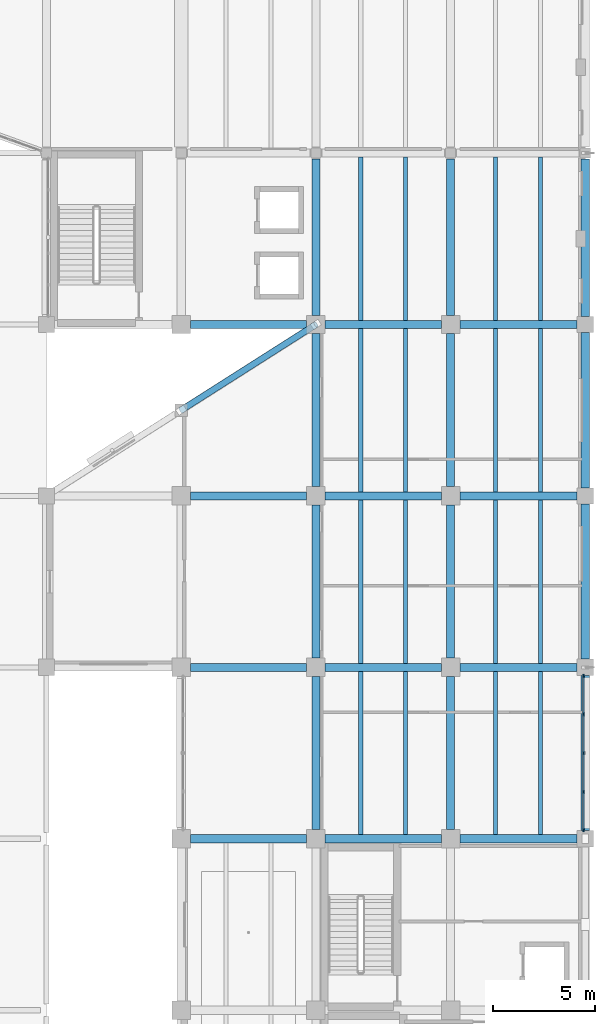
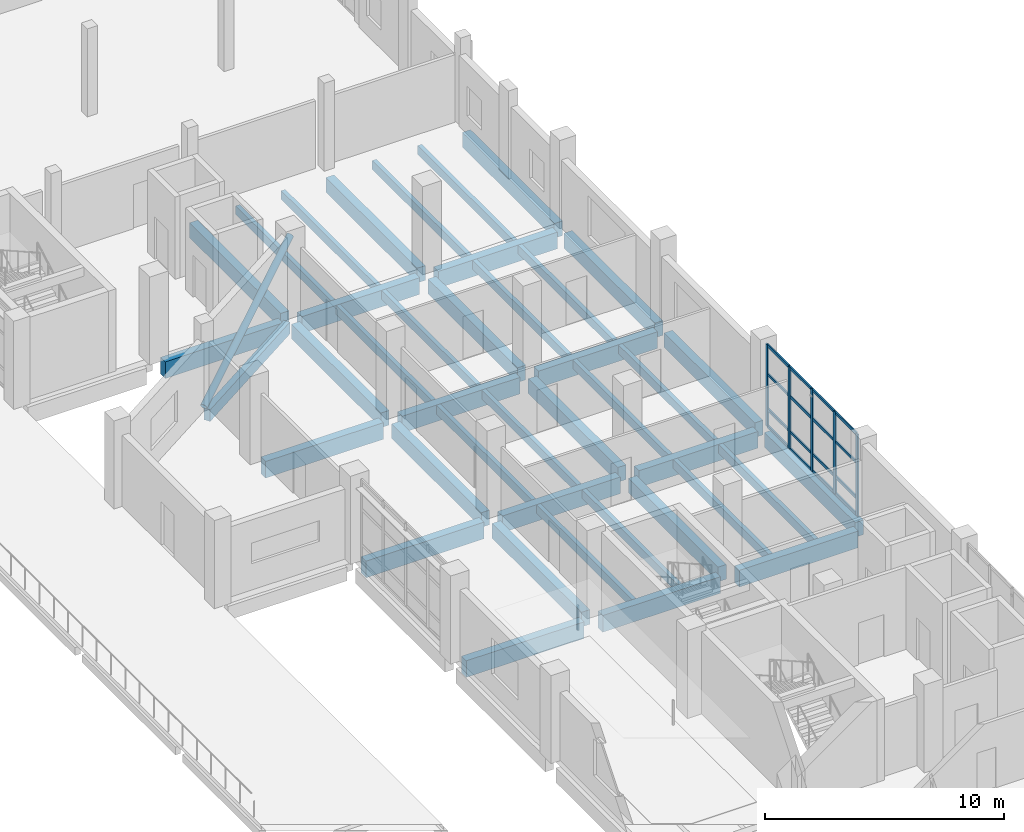
# One storey, part 24 of 83: 41 beams, 22 members, 1 element without a shape of its own.
"""IFC4 building model written with IfcOpenShell, lengths in metres."""

from ifc_helpers import new_model, si_unit, direction, frame, origin, origin_2d, place, context, subcontext, project, spatial, rectangle, hollow_circle, extrude, material, material_profile, profile_set, type_object, element, aggregate, save


model = new_model("IFC4")

# Units and contexts
model_context = context("Model", 3, precision=1e-05, world=origin(), true_north=direction((0.0, 1.0)))
body_context = subcontext(model_context, "Body", "Model", "MODEL_VIEW")
ifc_project = project(units=[si_unit("LENGTHUNIT", "METRE"), si_unit("AREAUNIT", "SQUARE_METRE"), si_unit("VOLUMEUNIT", "CUBIC_METRE"), si_unit("PLANEANGLEUNIT", "RADIAN"), si_unit("MASSUNIT", "GRAM", prefix="KILO")], contexts=[model_context])

# Site, building, storey
site_placement = place(None, origin())
site = spatial("IfcSite", under=ifc_project, at=site_placement, CompositionType="ELEMENT")
building_placement = place(site_placement, origin())
building = spatial("IfcBuilding", under=site, at=building_placement, Name="Qaldarim Faculty of Natural and Applied Sciences", CompositionType="ELEMENT")
storey_placement = place(building_placement, frame((0.0, 0.0, 5.39990234375)))
storey = spatial("IfcBuildingStorey", under=building, at=storey_placement, Name="L01", CompositionType="ELEMENT", Elevation=5.39990234375)

# Beams
ifc_material_1 = material(Name="Concrete C50/60", Category="concrete")
ifc_material_profile_1 = material_profile(ifc_material_1, rectangle(XDim=0.39990234375, YDim=0.75, at=origin_2d()), Name="RC-B400x750")
ifc_profile_set_1 = profile_set([ifc_material_profile_1], Name="Concrete C50/60")
beam_type_1 = type_object("IfcBeamType", Name="LabGirder-RC400x750", PredefinedType="BEAM", material=ifc_profile_set_1)
for number, where, z_axis, x_axis, name in (
    (1, (165.0, 34.050048828125, -0.6748046875), (0.0, 1.0, 0.0), (-1.0, 0.0, 0.0), "Beam RC-B400x750 L00 X26/Y05-Y06"),
    (2, (165.0, 42.449951171875, -0.6748046875), (0.0, 1.0, 0.0), (-1.0, 0.0, 0.0), "Beam RC-B400x750 L00 X26/Y06-Y07"),
    (3, (165.0, 50.85009765625, -0.6748046875), (0.0, 1.0, 0.0), (-1.0, 0.0, 0.0), "Beam RC-B400x750 L00 X26/Y07-Y08"),
):
    element("IfcBeam", number, at=place(storey_placement, frame(where, z_axis=z_axis, x_axis=x_axis)), inside=storey, type_object=beam_type_1, Name=name, PredefinedType="BEAM", context=body_context, shape_type="SweptSolid", body=[
        extrude(rectangle(XDim=0.39990234375, YDim=0.75, at=origin_2d()), origin(), (0.0, 0.0, 1.0), 7.5),
    ])
beam_1_placement = place(storey_placement, frame((165.0, 59.25, -0.6748046875), z_axis=(0.0, 1.0, 0.0), x_axis=(-1.0, 0.0, 0.0)))
element("IfcBeam", 4, at=beam_1_placement, inside=storey, type_object=beam_type_1, Name="Beam RC-B400x750 L00 X26/Y08-Y09", PredefinedType="BEAM", context=body_context, shape_type="SweptSolid", body=[
    extrude(rectangle(XDim=0.39990234375, YDim=0.75, at=origin_2d()), origin(), (0.0, 0.0, 1.0), 7.64990234375),
])
for number, where, z_axis, x_axis, name in (
    (5, (171.60009765625, 34.050048828125, -0.6748046875), (0.0, 1.0, 0.0), (-1.0, 0.0, 0.0), "Beam RC-B400x750 L00 X27/Y05-Y06"),
    (6, (171.60009765625, 42.449951171875, -0.6748046875), (0.0, 1.0, 0.0), (-1.0, 0.0, 0.0), "Beam RC-B400x750 L00 X27/Y06-Y07"),
    (7, (171.60009765625, 50.85009765625, -0.6748046875), (0.0, 1.0, 0.0), (-1.0, 0.0, 0.0), "Beam RC-B400x750 L00 X27/Y07-Y08"),
):
    element("IfcBeam", number, at=place(storey_placement, frame(where, z_axis=z_axis, x_axis=x_axis)), inside=storey, type_object=beam_type_1, Name=name, PredefinedType="BEAM", context=body_context, shape_type="SweptSolid", body=[
        extrude(rectangle(XDim=0.39990234375, YDim=0.75, at=origin_2d()), origin(), (0.0, 0.0, 1.0), 7.5),
    ])
beam_2_placement = place(storey_placement, frame((171.60009765625, 59.25, -0.6748046875), z_axis=(0.0, 1.0, 0.0), x_axis=(-1.0, 0.0, 0.0)))
element("IfcBeam", 8, at=beam_2_placement, inside=storey, type_object=beam_type_1, Name="Beam RC-B400x750 L00 X27/Y08-Y09", PredefinedType="BEAM", context=body_context, shape_type="SweptSolid", body=[
    extrude(rectangle(XDim=0.39990234375, YDim=0.75, at=origin_2d()), origin(), (0.0, 0.0, 1.0), 7.64990234375),
])
for number, where, z_axis, x_axis, name in (
    (9, (178.199951171875, 34.0, -0.6748046875), (0.0, 1.0, 0.0), (-1.0, 0.0, 0.0), "Beam RC-B400x750 L00 X28/Y05-Y06"),
    (10, (178.199951171875, 42.39990234375, -0.6748046875), (0.0, 1.0, 0.0), (-1.0, 0.0, 0.0), "Beam RC-B400x750 L00 X28/Y06-Y07"),
):
    element("IfcBeam", number, at=place(storey_placement, frame(where, z_axis=z_axis, x_axis=x_axis)), inside=storey, type_object=beam_type_1, Name=name, PredefinedType="BEAM", context=body_context, shape_type="SweptSolid", body=[
        extrude(rectangle(XDim=0.39990234375, YDim=0.75, at=origin_2d()), origin(), (0.0, 0.0, 1.0), 7.60009765625),
    ])
beam_3_placement = place(storey_placement, frame((178.199951171875, 50.800048828125, -0.6748046875), z_axis=(0.0, 1.0, 0.0), x_axis=(-1.0, 0.0, 0.0)))
element("IfcBeam", 11, at=beam_3_placement, inside=storey, type_object=beam_type_1, Name="Beam RC-B400x750 L00 X28/Y07-Y08", PredefinedType="BEAM", context=body_context, shape_type="SweptSolid", body=[
    extrude(rectangle(XDim=0.39990234375, YDim=0.75, at=origin_2d()), origin(), (0.0, 0.0, 1.0), 7.599853515625),
])
beam_4_placement = place(storey_placement, frame((178.199951171875, 59.199951171875, -0.6748046875), z_axis=(0.0, 1.0, 0.0), x_axis=(-1.0, 0.0, 0.0)))
element("IfcBeam", 12, at=beam_4_placement, inside=storey, type_object=beam_type_1, Name="Beam RC-B400x750 L00 X28/Y08-Y09", PredefinedType="BEAM", context=body_context, shape_type="SweptSolid", body=[
    extrude(rectangle(XDim=0.39990234375, YDim=0.75, at=origin_2d()), origin(), (0.0, 0.0, 1.0), 7.699951171875),
])
ifc_material_2 = material(Name="Concrete C40/50", Category="concrete")
ifc_material_profile_2 = material_profile(ifc_material_2, rectangle(XDim=0.199951171875, YDim=0.449951171875, at=origin_2d()), Name="RC-J200x450")
ifc_profile_set_2 = profile_set([ifc_material_profile_2], Name="Concrete C40/50")
beam_type_2 = type_object("IfcBeamType", Name="LabJoist-RC200x450", PredefinedType="JOIST", material=ifc_profile_set_2)
for number, where, z_axis, x_axis, name in (
    (13, (167.199951171875, 33.800048828125, -0.52490234375), (0.0, 1.0, 0.0), (-1.0, 0.0, 0.0), "Laboratory joist L00 bay X26Y05-1"),
    (14, (169.39990234375, 33.800048828125, -0.52490234375), (0.0, 1.0, 0.0), (-1.0, 0.0, 0.0), "Laboratory joist L00 bay X26Y05-2"),
    (15, (167.199951171875, 42.199951171875, -0.52490234375), (0.0, 1.0, 0.0), (-1.0, 0.0, 0.0), "Laboratory joist L00 bay X26Y06-1"),
    (16, (169.39990234375, 42.199951171875, -0.52490234375), (0.0, 1.0, 0.0), (-1.0, 0.0, 0.0), "Laboratory joist L00 bay X26Y06-2"),
    (17, (167.199951171875, 50.60009765625, -0.52490234375), (0.0, 1.0, 0.0), (-1.0, 0.0, 0.0), "Laboratory joist L00 bay X26Y07-1"),
    (18, (169.39990234375, 50.60009765625, -0.52490234375), (0.0, 1.0, 0.0), (-1.0, 0.0, 0.0), "Laboratory joist L00 bay X26Y07-2"),
    (19, (167.199951171875, 59.0, -0.52490234375), (0.0, 1.0, 0.0), (-1.0, 0.0, 0.0), "Laboratory joist L00 bay X26Y08-1"),
    (20, (169.39990234375, 59.0, -0.52490234375), (0.0, 1.0, 0.0), (-1.0, 0.0, 0.0), "Laboratory joist L00 bay X26Y08-2"),
    (21, (173.800048828125, 33.800048828125, -0.52490234375), (0.0, 1.0, 0.0), (-1.0, 0.0, 0.0), "Laboratory joist L00 bay X27Y05-1"),
    (22, (176.0, 33.800048828125, -0.52490234375), (0.0, 1.0, 0.0), (-1.0, 0.0, 0.0), "Laboratory joist L00 bay X27Y05-2"),
    (23, (173.800048828125, 42.199951171875, -0.52490234375), (0.0, 1.0, 0.0), (-1.0, 0.0, 0.0), "Laboratory joist L00 bay X27Y06-1"),
    (24, (176.0, 42.199951171875, -0.52490234375), (0.0, 1.0, 0.0), (-1.0, 0.0, 0.0), "Laboratory joist L00 bay X27Y06-2"),
    (25, (173.800048828125, 50.60009765625, -0.52490234375), (0.0, 1.0, 0.0), (-1.0, 0.0, 0.0), "Laboratory joist L00 bay X27Y07-1"),
    (26, (176.0, 50.60009765625, -0.52490234375), (0.0, 1.0, 0.0), (-1.0, 0.0, 0.0), "Laboratory joist L00 bay X27Y07-2"),
    (27, (173.800048828125, 59.0, -0.52490234375), (0.0, 1.0, 0.0), (-1.0, 0.0, 0.0), "Laboratory joist L00 bay X27Y08-1"),
    (28, (176.0, 59.0, -0.52490234375), (0.0, 1.0, 0.0), (-1.0, 0.0, 0.0), "Laboratory joist L00 bay X27Y08-2"),
):
    element("IfcBeam", number, at=place(storey_placement, frame(where, z_axis=z_axis, x_axis=x_axis)), inside=storey, type_object=beam_type_2, Name=name, PredefinedType="JOIST", context=body_context, shape_type="SweptSolid", body=[
        extrude(rectangle(XDim=0.199951171875, YDim=0.449951171875, at=origin_2d()), origin(), (0.0, 0.0, 1.0), 8.0),
    ])

# Member
ifc_material_3 = material(Name="Structural steel S355", Category="steel")
ifc_material_profile_3 = material_profile(ifc_material_3, hollow_circle(Radius=0.161865234375, WallThickness=0.02001953125, at=origin_2d()), Name="CHS 323.9x20.0")
ifc_profile_set_3 = profile_set([ifc_material_profile_3], Name="Structural steel S355")
member_type_1 = type_object("IfcMemberType", Name="LowerWingBrace-CHS323-9x20", PredefinedType="BRACE", material=ifc_profile_set_3)
member_1_placement = place(storey_placement, frame((158.39990234375, 54.60009765625, 0.0), z_axis=(0.75503922954, 0.480466814596, 0.446169700818), x_axis=(-0.536865395558, 0.843667912778, 0.0)))
element("IfcMember", 29, at=member_1_placement, inside=storey, type_object=member_type_1, Name="Oblique NW chamfer diagrid brace L01", PredefinedType="BRACE", context=body_context, shape_type="SweptSolid", body=[
    extrude(hollow_circle(Radius=0.161865234375, WallThickness=0.02001953125, at=origin_2d()), origin(), (0.0, 0.0, 1.0), 8.741455078125),
])

# Curtain wall, members
ifc_material_4 = material(Name="Anodised aluminium AW-6063", Category="aluminium")
curtain_wall_type = type_object("IfcCurtainWallType", Name="CurtainWallSystem-M1700", PredefinedType="USERDEFINED", material=ifc_material_4)
curtain_wall_placement = place(storey_placement, origin())
curtain_wall = element("IfcCurtainWall", 30, at=curtain_wall_placement, inside=storey, type_object=curtain_wall_type, Name="Curtain wall CW-L01-E-X27Y05", ObjectType="UNITISED FACADE", PredefinedType="USERDEFINED")
ifc_material_profile_4 = material_profile(ifc_material_4, rectangle(XDim=0.070068359375, YDim=0.179931640625, at=origin_2d()), Name="ALU-M70x180")
ifc_profile_set_4 = profile_set([ifc_material_profile_4], Name="Anodised aluminium AW-6063")
member_type_2 = type_object("IfcMemberType", Name="Mullion-ALU70x180", PredefinedType="MULLION", material=ifc_profile_set_4)
member_2_placement = place(storey_placement, frame((178.1201171875, 34.030029296875, 0.0), z_axis=(0.0, 0.0, 1.0), x_axis=(-1.0, 0.0, 0.0)))
member_2 = element("IfcMember", 31, at=member_2_placement, type_object=member_type_2, Name="Mullion 1 of CW-L01-E-X27Y05", PredefinedType="MULLION", context=body_context, shape_type="SweptSolid", body=[
    extrude(rectangle(XDim=0.070068359375, YDim=0.179931640625, at=origin_2d()), origin(), (0.0, 0.0, 1.0), 4.2001953125),
])
member_3_placement = place(storey_placement, frame((178.1201171875, 35.8974609375, 0.0), z_axis=(0.0, 0.0, 1.0), x_axis=(-1.0, 0.0, 0.0)))
member_3 = element("IfcMember", 32, at=member_3_placement, type_object=member_type_2, Name="Mullion 2 of CW-L01-E-X27Y05", PredefinedType="MULLION", context=body_context, shape_type="SweptSolid", body=[
    extrude(rectangle(XDim=0.070068359375, YDim=0.179931640625, at=origin_2d()), origin(), (0.0, 0.0, 1.0), 4.2001953125),
])
member_4_placement = place(storey_placement, frame((178.1201171875, 37.800048828125, 0.0), z_axis=(0.0, 0.0, 1.0), x_axis=(-1.0, 0.0, 0.0)))
member_4 = element("IfcMember", 33, at=member_4_placement, type_object=member_type_2, Name="Mullion 3 of CW-L01-E-X27Y05", PredefinedType="MULLION", context=body_context, shape_type="SweptSolid", body=[
    extrude(rectangle(XDim=0.070068359375, YDim=0.179931640625, at=origin_2d()), origin(), (0.0, 0.0, 1.0), 4.2001953125),
])
member_5_placement = place(storey_placement, frame((178.1201171875, 39.702392578125, 0.0), z_axis=(0.0, 0.0, 1.0), x_axis=(-1.0, 0.0, 0.0)))
member_5 = element("IfcMember", 34, at=member_5_placement, type_object=member_type_2, Name="Mullion 4 of CW-L01-E-X27Y05", PredefinedType="MULLION", context=body_context, shape_type="SweptSolid", body=[
    extrude(rectangle(XDim=0.070068359375, YDim=0.179931640625, at=origin_2d()), origin(), (0.0, 0.0, 1.0), 4.2001953125),
])
member_6_placement = place(storey_placement, frame((178.1201171875, 41.570068359375, 0.0), z_axis=(0.0, 0.0, 1.0), x_axis=(-1.0, 0.0, 0.0)))
member_6 = element("IfcMember", 35, at=member_6_placement, type_object=member_type_2, Name="Mullion 5 of CW-L01-E-X27Y05", PredefinedType="MULLION", context=body_context, shape_type="SweptSolid", body=[
    extrude(rectangle(XDim=0.070068359375, YDim=0.179931640625, at=origin_2d()), origin(), (0.0, 0.0, 1.0), 4.2001953125),
])

# Beams
ifc_material_profile_5 = material_profile(ifc_material_1, rectangle(XDim=0.39990234375, YDim=0.85009765625, at=origin_2d()), Name="RC-B400x850")
ifc_profile_set_5 = profile_set([ifc_material_profile_5], Name="Concrete C50/60")
beam_type_3 = type_object("IfcBeamType", Name="PodiumGirder-RC400x850", PredefinedType="BEAM", material=ifc_profile_set_5)
for number, where, z_axis, x_axis, name in (
    (36, (158.85009765625, 33.60009765625, -0.724853515625), (1.0, 0.0, 0.0), (0.0, 1.0, 0.0), "Beam RC-B400x850 L00 X25-X26/Y05"),
    (37, (165.449951171875, 33.60009765625, -0.724853515625), (1.0, 0.0, 0.0), (0.0, 1.0, 0.0), "Beam RC-B400x850 L00 X26-X27/Y05"),
):
    element("IfcBeam", number, at=place(storey_placement, frame(where, z_axis=z_axis, x_axis=x_axis)), inside=storey, type_object=beam_type_3, Name=name, PredefinedType="BEAM", context=body_context, shape_type="SweptSolid", body=[
        extrude(rectangle(XDim=0.39990234375, YDim=0.85009765625, at=origin_2d()), origin(), (0.0, 0.0, 1.0), 5.699951171875),
    ])
beam_5_placement = place(storey_placement, frame((172.050048828125, 33.60009765625, -0.724853515625), z_axis=(1.0, 0.0, 0.0), x_axis=(0.0, 1.0, 0.0)))
element("IfcBeam", 38, at=beam_5_placement, inside=storey, type_object=beam_type_3, Name="Beam RC-B400x850 L00 X27-X28/Y05", PredefinedType="BEAM", context=body_context, shape_type="SweptSolid", body=[
    extrude(rectangle(XDim=0.39990234375, YDim=0.85009765625, at=origin_2d()), origin(), (0.0, 0.0, 1.0), 5.75),
])
for number, where, z_axis, x_axis, name in (
    (39, (158.85009765625, 42.0, -0.724853515625), (1.0, 0.0, 0.0), (0.0, 1.0, 0.0), "Beam RC-B400x850 L00 X25-X26/Y06"),
    (40, (165.449951171875, 42.0, -0.724853515625), (1.0, 0.0, 0.0), (0.0, 1.0, 0.0), "Beam RC-B400x850 L00 X26-X27/Y06"),
):
    element("IfcBeam", number, at=place(storey_placement, frame(where, z_axis=z_axis, x_axis=x_axis)), inside=storey, type_object=beam_type_3, Name=name, PredefinedType="BEAM", context=body_context, shape_type="SweptSolid", body=[
        extrude(rectangle(XDim=0.39990234375, YDim=0.85009765625, at=origin_2d()), origin(), (0.0, 0.0, 1.0), 5.699951171875),
    ])
beam_6_placement = place(storey_placement, frame((172.050048828125, 42.0, -0.724853515625), z_axis=(1.0, 0.0, 0.0), x_axis=(0.0, 1.0, 0.0)))
element("IfcBeam", 41, at=beam_6_placement, inside=storey, type_object=beam_type_3, Name="Beam RC-B400x850 L00 X27-X28/Y06", PredefinedType="BEAM", context=body_context, shape_type="SweptSolid", body=[
    extrude(rectangle(XDim=0.39990234375, YDim=0.85009765625, at=origin_2d()), origin(), (0.0, 0.0, 1.0), 5.75),
])
for number, where, z_axis, x_axis, name in (
    (42, (158.85009765625, 50.39990234375, -0.724853515625), (1.0, 0.0, 0.0), (0.0, 1.0, 0.0), "Beam RC-B400x850 L00 X25-X26/Y07"),
    (43, (165.449951171875, 50.39990234375, -0.724853515625), (1.0, 0.0, 0.0), (0.0, 1.0, 0.0), "Beam RC-B400x850 L00 X26-X27/Y07"),
):
    element("IfcBeam", number, at=place(storey_placement, frame(where, z_axis=z_axis, x_axis=x_axis)), inside=storey, type_object=beam_type_3, Name=name, PredefinedType="BEAM", context=body_context, shape_type="SweptSolid", body=[
        extrude(rectangle(XDim=0.39990234375, YDim=0.85009765625, at=origin_2d()), origin(), (0.0, 0.0, 1.0), 5.699951171875),
    ])
beam_7_placement = place(storey_placement, frame((172.050048828125, 50.39990234375, -0.724853515625), z_axis=(1.0, 0.0, 0.0), x_axis=(0.0, 1.0, 0.0)))
element("IfcBeam", 44, at=beam_7_placement, inside=storey, type_object=beam_type_3, Name="Beam RC-B400x850 L00 X27-X28/Y07", PredefinedType="BEAM", context=body_context, shape_type="SweptSolid", body=[
    extrude(rectangle(XDim=0.39990234375, YDim=0.85009765625, at=origin_2d()), origin(), (0.0, 0.0, 1.0), 5.75),
])
for number, where, z_axis, x_axis, name in (
    (45, (158.85009765625, 58.800048828125, -0.724853515625), (1.0, 0.0, 0.0), (0.0, 1.0, 0.0), "Beam RC-B400x850 L00 X25-X26/Y08"),
    (46, (165.449951171875, 58.800048828125, -0.724853515625), (1.0, 0.0, 0.0), (0.0, 1.0, 0.0), "Beam RC-B400x850 L00 X26-X27/Y08"),
):
    element("IfcBeam", number, at=place(storey_placement, frame(where, z_axis=z_axis, x_axis=x_axis)), inside=storey, type_object=beam_type_3, Name=name, PredefinedType="BEAM", context=body_context, shape_type="SweptSolid", body=[
        extrude(rectangle(XDim=0.39990234375, YDim=0.85009765625, at=origin_2d()), origin(), (0.0, 0.0, 1.0), 5.699951171875),
    ])
beam_8_placement = place(storey_placement, frame((172.050048828125, 58.800048828125, -0.724853515625), z_axis=(1.0, 0.0, 0.0), x_axis=(0.0, 1.0, 0.0)))
element("IfcBeam", 47, at=beam_8_placement, inside=storey, type_object=beam_type_3, Name="Beam RC-B400x850 L00 X27-X28/Y08", PredefinedType="BEAM", context=body_context, shape_type="SweptSolid", body=[
    extrude(rectangle(XDim=0.39990234375, YDim=0.85009765625, at=origin_2d()), origin(), (0.0, 0.0, 1.0), 5.75),
])
ifc_material_5 = material(Name="Precast concrete C40/50", Category="concrete")
ifc_material_profile_6 = material_profile(ifc_material_5, rectangle(XDim=0.300048828125, YDim=0.60009765625, at=origin_2d()), Name="RC-SP300x600")
ifc_profile_set_6 = profile_set([ifc_material_profile_6], Name="Precast concrete C40/50")
beam_type_4 = type_object("IfcBeamType", Name="SpandrelBeam-RC300x600", PredefinedType="SPANDREL", material=ifc_profile_set_6)
beam_9_placement = place(storey_placement, frame((158.64990234375, 54.760009765625, -0.599853515625), z_axis=(0.843786613851, 0.536678814829, 0.0), x_axis=(-0.536678814829, 0.843786613851, 0.0)))
element("IfcBeam", 48, at=beam_9_placement, inside=storey, type_object=beam_type_4, Name="Oblique NW chamfer spandrel L00 2", PredefinedType="SPANDREL", context=body_context, shape_type="SweptSolid", body=[
    extrude(rectangle(XDim=0.300048828125, YDim=0.60009765625, at=origin_2d()), origin(), (0.0, 0.0, 1.0), 7.2294921875),
])

# Member
ifc_material_profile_7 = material_profile(ifc_material_4, rectangle(XDim=0.070068359375, YDim=0.139892578125, at=origin_2d()), Name="ALU-T70x140")
ifc_profile_set_7 = profile_set([ifc_material_profile_7], Name="Anodised aluminium AW-6063")
member_type_3 = type_object("IfcMemberType", Name="Transom-ALU70x140", PredefinedType="USERDEFINED", material=ifc_profile_set_7)
member_7_placement = place(storey_placement, frame((178.1201171875, 34.06494140625, 0.03515625), z_axis=(0.0, 1.0, 0.0), x_axis=(-1.0, 0.0, 0.0)))
member_7 = element("IfcMember", 49, at=member_7_placement, type_object=member_type_3, Name="Transom 1-1 of CW-L01-E-X27Y05", ObjectType="TRANSOM", PredefinedType="USERDEFINED", context=body_context, shape_type="SweptSolid", body=[
    extrude(rectangle(XDim=0.070068359375, YDim=0.139892578125, at=origin_2d()), origin(), (0.0, 0.0, 1.0), 1.797607421875),
])

member_8_placement = place(storey_placement, frame((178.1201171875, 34.06494140625, 0.900146484375), z_axis=(0.0, 1.0, 0.0), x_axis=(-1.0, 0.0, 0.0)))
member_8 = element("IfcMember", 50, at=member_8_placement, type_object=member_type_3, Name="Transom 1-2 of CW-L01-E-X27Y05", ObjectType="TRANSOM", PredefinedType="USERDEFINED", context=body_context, shape_type="SweptSolid", body=[
    extrude(rectangle(XDim=0.070068359375, YDim=0.139892578125, at=origin_2d()), origin(), (0.0, 0.0, 1.0), 1.797607421875),
])

member_9_placement = place(storey_placement, frame((178.1201171875, 34.06494140625, 2.7001953125), z_axis=(0.0, 1.0, 0.0), x_axis=(-1.0, 0.0, 0.0)))
member_9 = element("IfcMember", 51, at=member_9_placement, type_object=member_type_3, Name="Transom 1-3 of CW-L01-E-X27Y05", ObjectType="TRANSOM", PredefinedType="USERDEFINED", context=body_context, shape_type="SweptSolid", body=[
    extrude(rectangle(XDim=0.070068359375, YDim=0.139892578125, at=origin_2d()), origin(), (0.0, 0.0, 1.0), 1.797607421875),
])

member_10_placement = place(storey_placement, frame((178.1201171875, 34.06494140625, 4.1650390625), z_axis=(0.0, 1.0, 0.0), x_axis=(-1.0, 0.0, 0.0)))
member_10 = element("IfcMember", 52, at=member_10_placement, type_object=member_type_3, Name="Transom 1-4 of CW-L01-E-X27Y05", ObjectType="TRANSOM", PredefinedType="USERDEFINED", context=body_context, shape_type="SweptSolid", body=[
    extrude(rectangle(XDim=0.070068359375, YDim=0.139892578125, at=origin_2d()), origin(), (0.0, 0.0, 1.0), 1.797607421875),
])

member_11_placement = place(storey_placement, frame((178.1201171875, 35.9326171875, 0.03515625), z_axis=(0.0, 1.0, 0.0), x_axis=(-1.0, 0.0, 0.0)))
member_11 = element("IfcMember", 53, at=member_11_placement, type_object=member_type_3, Name="Transom 2-1 of CW-L01-E-X27Y05", ObjectType="TRANSOM", PredefinedType="USERDEFINED", context=body_context, shape_type="SweptSolid", body=[
    extrude(rectangle(XDim=0.070068359375, YDim=0.139892578125, at=origin_2d()), origin(), (0.0, 0.0, 1.0), 1.832275390625),
])

member_12_placement = place(storey_placement, frame((178.1201171875, 35.9326171875, 0.900146484375), z_axis=(0.0, 1.0, 0.0), x_axis=(-1.0, 0.0, 0.0)))
member_12 = element("IfcMember", 54, at=member_12_placement, type_object=member_type_3, Name="Transom 2-2 of CW-L01-E-X27Y05", ObjectType="TRANSOM", PredefinedType="USERDEFINED", context=body_context, shape_type="SweptSolid", body=[
    extrude(rectangle(XDim=0.070068359375, YDim=0.139892578125, at=origin_2d()), origin(), (0.0, 0.0, 1.0), 1.832275390625),
])

member_13_placement = place(storey_placement, frame((178.1201171875, 35.9326171875, 2.7001953125), z_axis=(0.0, 1.0, 0.0), x_axis=(-1.0, 0.0, 0.0)))
member_13 = element("IfcMember", 55, at=member_13_placement, type_object=member_type_3, Name="Transom 2-3 of CW-L01-E-X27Y05", ObjectType="TRANSOM", PredefinedType="USERDEFINED", context=body_context, shape_type="SweptSolid", body=[
    extrude(rectangle(XDim=0.070068359375, YDim=0.139892578125, at=origin_2d()), origin(), (0.0, 0.0, 1.0), 1.832275390625),
])

member_14_placement = place(storey_placement, frame((178.1201171875, 35.9326171875, 4.1650390625), z_axis=(0.0, 1.0, 0.0), x_axis=(-1.0, 0.0, 0.0)))
member_14 = element("IfcMember", 56, at=member_14_placement, type_object=member_type_3, Name="Transom 2-4 of CW-L01-E-X27Y05", ObjectType="TRANSOM", PredefinedType="USERDEFINED", context=body_context, shape_type="SweptSolid", body=[
    extrude(rectangle(XDim=0.070068359375, YDim=0.139892578125, at=origin_2d()), origin(), (0.0, 0.0, 1.0), 1.832275390625),
])

member_15_placement = place(storey_placement, frame((178.1201171875, 37.8349609375, 0.03515625), z_axis=(0.0, 1.0, 0.0), x_axis=(-1.0, 0.0, 0.0)))
member_15 = element("IfcMember", 57, at=member_15_placement, type_object=member_type_3, Name="Transom 3-1 of CW-L01-E-X27Y05", ObjectType="TRANSOM", PredefinedType="USERDEFINED", context=body_context, shape_type="SweptSolid", body=[
    extrude(rectangle(XDim=0.070068359375, YDim=0.139892578125, at=origin_2d()), origin(), (0.0, 0.0, 1.0), 1.83251953125),
])

member_16_placement = place(storey_placement, frame((178.1201171875, 37.8349609375, 0.900146484375), z_axis=(0.0, 1.0, 0.0), x_axis=(-1.0, 0.0, 0.0)))
member_16 = element("IfcMember", 58, at=member_16_placement, type_object=member_type_3, Name="Transom 3-2 of CW-L01-E-X27Y05", ObjectType="TRANSOM", PredefinedType="USERDEFINED", context=body_context, shape_type="SweptSolid", body=[
    extrude(rectangle(XDim=0.070068359375, YDim=0.139892578125, at=origin_2d()), origin(), (0.0, 0.0, 1.0), 1.83251953125),
])

member_17_placement = place(storey_placement, frame((178.1201171875, 37.8349609375, 2.7001953125), z_axis=(0.0, 1.0, 0.0), x_axis=(-1.0, 0.0, 0.0)))
member_17 = element("IfcMember", 59, at=member_17_placement, type_object=member_type_3, Name="Transom 3-3 of CW-L01-E-X27Y05", ObjectType="TRANSOM", PredefinedType="USERDEFINED", context=body_context, shape_type="SweptSolid", body=[
    extrude(rectangle(XDim=0.070068359375, YDim=0.139892578125, at=origin_2d()), origin(), (0.0, 0.0, 1.0), 1.83251953125),
])

member_18_placement = place(storey_placement, frame((178.1201171875, 37.8349609375, 4.1650390625), z_axis=(0.0, 1.0, 0.0), x_axis=(-1.0, 0.0, 0.0)))
member_18 = element("IfcMember", 60, at=member_18_placement, type_object=member_type_3, Name="Transom 3-4 of CW-L01-E-X27Y05", ObjectType="TRANSOM", PredefinedType="USERDEFINED", context=body_context, shape_type="SweptSolid", body=[
    extrude(rectangle(XDim=0.070068359375, YDim=0.139892578125, at=origin_2d()), origin(), (0.0, 0.0, 1.0), 1.83251953125),
])

member_19_placement = place(storey_placement, frame((178.1201171875, 39.737548828125, 0.03515625), z_axis=(0.0, 1.0, 0.0), x_axis=(-1.0, 0.0, 0.0)))
member_19 = element("IfcMember", 61, at=member_19_placement, type_object=member_type_3, Name="Transom 4-1 of CW-L01-E-X27Y05", ObjectType="TRANSOM", PredefinedType="USERDEFINED", context=body_context, shape_type="SweptSolid", body=[
    extrude(rectangle(XDim=0.070068359375, YDim=0.139892578125, at=origin_2d()), origin(), (0.0, 0.0, 1.0), 1.79736328125),
])

member_20_placement = place(storey_placement, frame((178.1201171875, 39.737548828125, 0.900146484375), z_axis=(0.0, 1.0, 0.0), x_axis=(-1.0, 0.0, 0.0)))
member_20 = element("IfcMember", 62, at=member_20_placement, type_object=member_type_3, Name="Transom 4-2 of CW-L01-E-X27Y05", ObjectType="TRANSOM", PredefinedType="USERDEFINED", context=body_context, shape_type="SweptSolid", body=[
    extrude(rectangle(XDim=0.070068359375, YDim=0.139892578125, at=origin_2d()), origin(), (0.0, 0.0, 1.0), 1.79736328125),
])

member_21_placement = place(storey_placement, frame((178.1201171875, 39.737548828125, 2.7001953125), z_axis=(0.0, 1.0, 0.0), x_axis=(-1.0, 0.0, 0.0)))
member_21 = element("IfcMember", 63, at=member_21_placement, type_object=member_type_3, Name="Transom 4-3 of CW-L01-E-X27Y05", ObjectType="TRANSOM", PredefinedType="USERDEFINED", context=body_context, shape_type="SweptSolid", body=[
    extrude(rectangle(XDim=0.070068359375, YDim=0.139892578125, at=origin_2d()), origin(), (0.0, 0.0, 1.0), 1.79736328125),
])

member_22_placement = place(storey_placement, frame((178.1201171875, 39.737548828125, 4.1650390625), z_axis=(0.0, 1.0, 0.0), x_axis=(-1.0, 0.0, 0.0)))
member_22 = element("IfcMember", 64, at=member_22_placement, type_object=member_type_3, Name="Transom 4-4 of CW-L01-E-X27Y05", ObjectType="TRANSOM", PredefinedType="USERDEFINED", context=body_context, shape_type="SweptSolid", body=[
    extrude(rectangle(XDim=0.070068359375, YDim=0.139892578125, at=origin_2d()), origin(), (0.0, 0.0, 1.0), 1.79736328125),
])

aggregate(curtain_wall, [member_2, member_3, member_4, member_5, member_6, member_7, member_8, member_9, member_10, member_11, member_12, member_13, member_14, member_15, member_16, member_17, member_18, member_19, member_20, member_21, member_22])

save(model, "model.ifc")
